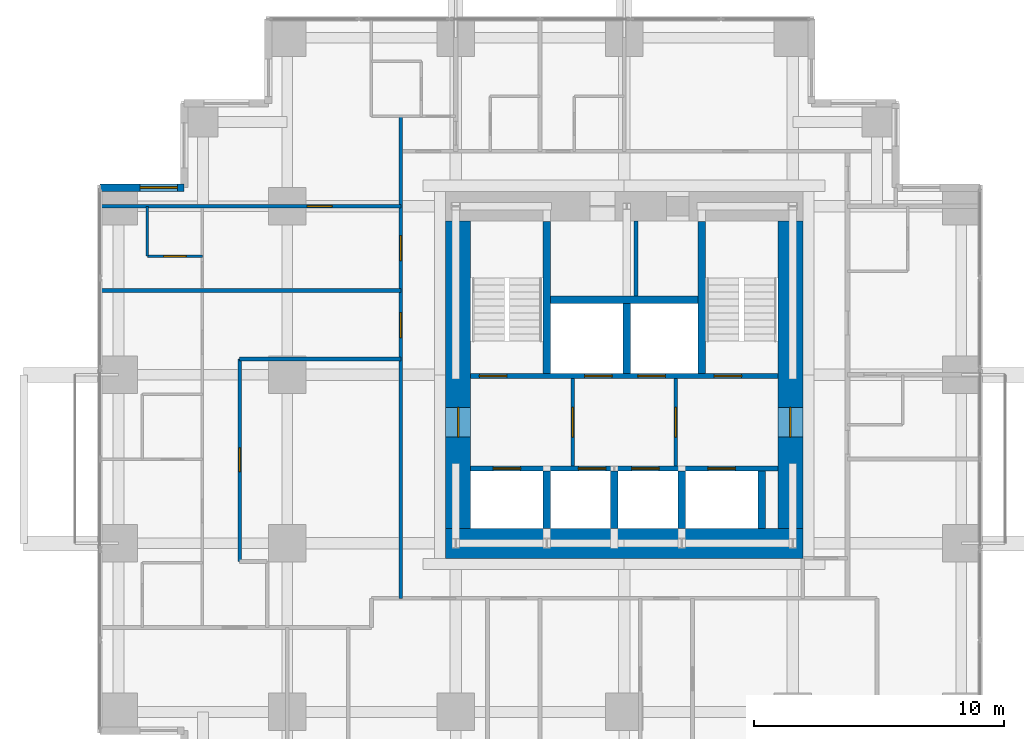
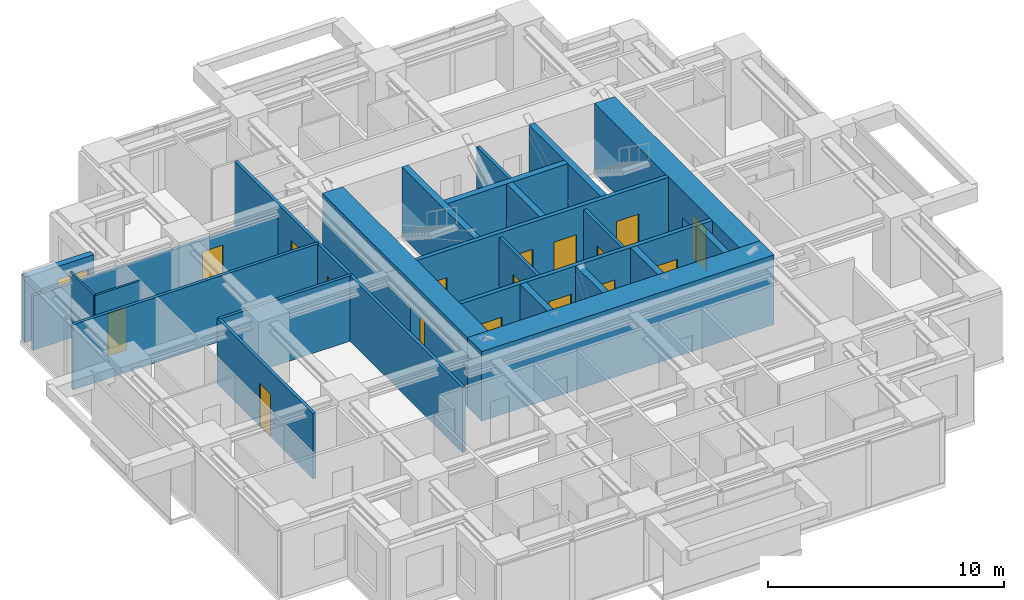
# One storey, part 7 of 10: 24 walls, 17 doors, 1 window, 18 openings.
"""IFC4 building model written with IfcOpenShell, lengths in metres."""

from ifc_helpers import new_model, si_unit, direction, frame, frame_2d, origin, place, context, subcontext, project, spatial, rectangle, extrude, material, layer, layer_set, type_object, element, fill, save


model = new_model("IFC4")

# Units and contexts
model_context = context("Model", 3, precision=1e-05, world=origin(), true_north=direction((0.0, 1.0)))
body_context = subcontext(model_context, "Body", "Model", "MODEL_VIEW")
ifc_project = project(units=[si_unit("LENGTHUNIT", "METRE"), si_unit("AREAUNIT", "SQUARE_METRE"), si_unit("VOLUMEUNIT", "CUBIC_METRE"), si_unit("PLANEANGLEUNIT", "RADIAN"), si_unit("MASSUNIT", "GRAM", prefix="KILO")], contexts=[model_context])

# Site, building, storey
site_placement = place(None, origin())
site = spatial("IfcSite", under=ifc_project, at=site_placement, CompositionType="ELEMENT")
building_placement = place(site_placement, origin())
building = spatial("IfcBuilding", under=site, at=building_placement, Name="Nyansa Garden Tower", CompositionType="ELEMENT")
storey_placement = place(building_placement, frame((0.0, 0.0, 153.0)))
storey = spatial("IfcBuildingStorey", under=building, at=storey_placement, Name="L41", CompositionType="ELEMENT", Elevation=153.0)

# Wall, openings, doors
ifc_material_1 = material(Name="Concrete C70/85", Category="concrete")
ifc_layer_1 = layer(ifc_material_1, 0.199951171875)
ifc_layer_set_1 = layer_set([ifc_layer_1], Name="Core inner wall CI200")
wall_type_1 = type_object("IfcWallType", Name="Core inner wall CI200", PredefinedType="SHEAR", material=ifc_layer_set_1)
wall_1_placement = place(storey_placement, frame((14.10009765625, 16.5, 0.0), z_axis=(0.0, 0.0, 1.0), x_axis=(1.0, 0.0, 0.0)))
wall_1 = element("IfcWall", 1, at=wall_1_placement, inside=storey, type_object=wall_type_1, Name="Core inner wall L41", PredefinedType="SHEAR", context=body_context, shape_type="SweptSolid", body=[
    extrude(rectangle(XDim=12.2998046875, YDim=0.199951171875, at=frame_2d((6.14990234375, 0.0))), origin(), (0.0, 0.0, 1.0), 3.60009765625),
])
opening_1_placement = place(wall_1_placement, frame((0.89990234375, 0.0, 0.0)))
opening_1 = element("IfcOpeningElement", 2, at=opening_1_placement, cuts=wall_1, Name="Opening LD-F", PredefinedType="OPENING", context=body_context, shape_type="SweptSolid", body=[
    extrude(rectangle(XDim=1.10009765625, YDim=2.199951171875, at=frame_2d((0.550048828125, 1.10009765625))), frame((0.0, 0.10986328125, 0.0), z_axis=(0.0, -1.0, 0.0), x_axis=(1.0, 0.0, 0.0)), (0.0, 0.0, 1.0), 0.219970703125),
])
opening_2_placement = place(wall_1_placement, frame((4.31005859375, 0.0, 0.0)))
opening_2 = element("IfcOpeningElement", 3, at=opening_2_placement, cuts=wall_1, Name="Opening LD-B", PredefinedType="OPENING", context=body_context, shape_type="SweptSolid", body=[
    extrude(rectangle(XDim=1.10009765625, YDim=2.199951171875, at=frame_2d((0.550048828125, 1.10009765625))), frame((0.0, 0.10986328125, 0.0), z_axis=(0.0, -1.0, 0.0), x_axis=(1.0, 0.0, 0.0)), (0.0, 0.0, 1.0), 0.219970703125),
])
opening_3_placement = place(wall_1_placement, frame((6.449951171875, 0.0, 0.0)))
opening_3 = element("IfcOpeningElement", 4, at=opening_3_placement, cuts=wall_1, Name="Opening LD-B", PredefinedType="OPENING", context=body_context, shape_type="SweptSolid", body=[
    extrude(rectangle(XDim=1.10009765625, YDim=2.199951171875, at=frame_2d((0.550048828125, 1.10009765625))), frame((0.0, 0.10986328125, 0.0), z_axis=(0.0, -1.0, 0.0), x_axis=(1.0, 0.0, 0.0)), (0.0, 0.0, 1.0), 0.219970703125),
])
opening_4_placement = place(wall_1_placement, frame((9.5, 0.0, 0.0)))
opening_4 = element("IfcOpeningElement", 5, at=opening_4_placement, cuts=wall_1, Name="Opening LD-F", PredefinedType="OPENING", context=body_context, shape_type="SweptSolid", body=[
    extrude(rectangle(XDim=1.10009765625, YDim=2.199951171875, at=frame_2d((0.550048828125, 1.10009765625))), frame((0.0, 0.10986328125, 0.0), z_axis=(0.0, -1.0, 0.0), x_axis=(1.0, 0.0, 0.0)), (0.0, 0.0, 1.0), 0.219970703125),
])
ifc_material_2 = material(Name="Stainless steel centre-opening landing door of the high-rise lift, E 120", Category="steel")
door_type_1 = type_object("IfcDoorType", Name="Lift landing door LD-B 1100x2200", OperationType="DOUBLE_DOOR_SLIDING", PredefinedType="DOOR", material=ifc_material_2)
door_1_placement = place(opening_2_placement, origin())
door_1 = element("IfcDoor", 6, at=door_1_placement, inside=storey, type_object=door_type_1, Name="Landing door B1", OperationType="DOUBLE_DOOR_SLIDING", OverallHeight=2.199951171875, OverallWidth=1.10009765625, PredefinedType="DOOR", context=body_context, shape_type="SweptSolid", body=[
    extrude(rectangle(XDim=1.10009765625, YDim=2.199951171875, at=frame_2d((0.550048828125, 1.10009765625))), frame((0.0, 0.02490234375, 0.0), z_axis=(0.0, -1.0, 0.0), x_axis=(1.0, 0.0, 0.0)), (0.0, 0.0, 1.0), 0.050048828125),
])
fill(opening_2, door_1)
door_2_placement = place(opening_3_placement, origin())
door_2 = element("IfcDoor", 7, at=door_2_placement, inside=storey, type_object=door_type_1, Name="Landing door B2", OperationType="DOUBLE_DOOR_SLIDING", OverallHeight=2.199951171875, OverallWidth=1.10009765625, PredefinedType="DOOR", context=body_context, shape_type="SweptSolid", body=[
    extrude(rectangle(XDim=1.10009765625, YDim=2.199951171875, at=frame_2d((0.550048828125, 1.10009765625))), frame((0.0, 0.02490234375, 0.0), z_axis=(0.0, -1.0, 0.0), x_axis=(1.0, 0.0, 0.0)), (0.0, 0.0, 1.0), 0.050048828125),
])
fill(opening_3, door_2)
ifc_material_3 = material(Name="Stainless steel centre-opening landing door of the firefighting lift, EN 81-72, E 120", Category="steel")
door_type_2 = type_object("IfcDoorType", Name="Lift landing door LD-F 1100x2200", OperationType="DOUBLE_DOOR_SLIDING", PredefinedType="DOOR", material=ifc_material_3)
door_3_placement = place(opening_1_placement, origin())
door_3 = element("IfcDoor", 8, at=door_3_placement, inside=storey, type_object=door_type_2, Name="Landing door FF1", OperationType="DOUBLE_DOOR_SLIDING", OverallHeight=2.199951171875, OverallWidth=1.10009765625, PredefinedType="DOOR", context=body_context, shape_type="SweptSolid", body=[
    extrude(rectangle(XDim=1.10009765625, YDim=2.199951171875, at=frame_2d((0.550048828125, 1.10009765625))), frame((0.0, 0.02490234375, 0.0), z_axis=(0.0, -1.0, 0.0), x_axis=(1.0, 0.0, 0.0)), (0.0, 0.0, 1.0), 0.050048828125),
])
fill(opening_1, door_3)
door_4_placement = place(opening_4_placement, origin())
door_4 = element("IfcDoor", 9, at=door_4_placement, inside=storey, type_object=door_type_2, Name="Landing door FF2", OperationType="DOUBLE_DOOR_SLIDING", OverallHeight=2.199951171875, OverallWidth=1.10009765625, PredefinedType="DOOR", context=body_context, shape_type="SweptSolid", body=[
    extrude(rectangle(XDim=1.10009765625, YDim=2.199951171875, at=frame_2d((0.550048828125, 1.10009765625))), frame((0.0, 0.02490234375, 0.0), z_axis=(0.0, -1.0, 0.0), x_axis=(1.0, 0.0, 0.0)), (0.0, 0.0, 1.0), 0.050048828125),
])
fill(opening_4, door_4)

wall_2_placement = place(storey_placement, frame((14.10009765625, 20.199951171875, 0.0), z_axis=(0.0, 0.0, 1.0), x_axis=(1.0, 0.0, 0.0)))
wall_2 = element("IfcWall", 10, at=wall_2_placement, inside=storey, type_object=wall_type_1, Name="Core inner wall L41", PredefinedType="SHEAR", context=body_context, shape_type="SweptSolid", body=[
    extrude(rectangle(XDim=12.2998046875, YDim=0.199951171875, at=frame_2d((6.14990234375, 0.0))), origin(), (0.0, 0.0, 1.0), 3.60009765625),
])
opening_5_placement = place(wall_2_placement, frame((4.56005859375, 0.0, 0.0)))
opening_5 = element("IfcOpeningElement", 11, at=opening_5_placement, cuts=wall_2, Name="Opening LD-B", PredefinedType="OPENING", context=body_context, shape_type="SweptSolid", body=[
    extrude(rectangle(XDim=1.10009765625, YDim=2.199951171875, at=frame_2d((0.550048828125, 1.10009765625))), frame((0.0, 0.10986328125, 0.0), z_axis=(0.0, -1.0, 0.0), x_axis=(1.0, 0.0, 0.0)), (0.0, 0.0, 1.0), 0.219970703125),
])
opening_6_placement = place(wall_2_placement, frame((6.699951171875, 0.0, 0.0)))
opening_6 = element("IfcOpeningElement", 12, at=opening_6_placement, cuts=wall_2, Name="Opening LD-B", PredefinedType="OPENING", context=body_context, shape_type="SweptSolid", body=[
    extrude(rectangle(XDim=1.10009765625, YDim=2.199951171875, at=frame_2d((0.550048828125, 1.10009765625))), frame((0.0, 0.10986328125, 0.0), z_axis=(0.0, -1.0, 0.0), x_axis=(1.0, 0.0, 0.0)), (0.0, 0.0, 1.0), 0.219970703125),
])
opening_7_placement = place(wall_2_placement, frame((0.35009765625, 0.0, 0.0)))
opening_7 = element("IfcOpeningElement", 13, at=opening_7_placement, cuts=wall_2, Name="Opening D05", PredefinedType="OPENING", context=body_context, shape_type="SweptSolid", body=[
    extrude(rectangle(XDim=1.10009765625, YDim=2.199951171875, at=frame_2d((0.550048828125, 1.10009765625))), frame((0.0, 0.10986328125, 0.0), z_axis=(0.0, -1.0, 0.0), x_axis=(1.0, 0.0, 0.0)), (0.0, 0.0, 1.0), 0.219970703125),
])
opening_8_placement = place(wall_2_placement, frame((9.75, 0.0, 0.0)))
opening_8 = element("IfcOpeningElement", 14, at=opening_8_placement, cuts=wall_2, Name="Opening D05", PredefinedType="OPENING", context=body_context, shape_type="SweptSolid", body=[
    extrude(rectangle(XDim=1.10009765625, YDim=2.199951171875, at=frame_2d((0.550048828125, 1.10009765625))), frame((0.0, 0.10986328125, 0.0), z_axis=(0.0, -1.0, 0.0), x_axis=(1.0, 0.0, 0.0)), (0.0, 0.0, 1.0), 0.219970703125),
])
door_5_placement = place(opening_5_placement, origin())
door_5 = element("IfcDoor", 15, at=door_5_placement, inside=storey, type_object=door_type_1, Name="Landing door B3", OperationType="DOUBLE_DOOR_SLIDING", OverallHeight=2.199951171875, OverallWidth=1.10009765625, PredefinedType="DOOR", context=body_context, shape_type="SweptSolid", body=[
    extrude(rectangle(XDim=1.10009765625, YDim=2.199951171875, at=frame_2d((0.550048828125, 1.10009765625))), frame((0.0, 0.02490234375, 0.0), z_axis=(0.0, -1.0, 0.0), x_axis=(1.0, 0.0, 0.0)), (0.0, 0.0, 1.0), 0.050048828125),
])
fill(opening_5, door_5)
door_6_placement = place(opening_6_placement, origin())
door_6 = element("IfcDoor", 16, at=door_6_placement, inside=storey, type_object=door_type_1, Name="Landing door B4", OperationType="DOUBLE_DOOR_SLIDING", OverallHeight=2.199951171875, OverallWidth=1.10009765625, PredefinedType="DOOR", context=body_context, shape_type="SweptSolid", body=[
    extrude(rectangle(XDim=1.10009765625, YDim=2.199951171875, at=frame_2d((0.550048828125, 1.10009765625))), frame((0.0, 0.02490234375, 0.0), z_axis=(0.0, -1.0, 0.0), x_axis=(1.0, 0.0, 0.0)), (0.0, 0.0, 1.0), 0.050048828125),
])
fill(opening_6, door_6)
ifc_material_4 = material(Name="Steel door, 120 minute fire resisting", Category="steel")
door_type_3 = type_object("IfcDoorType", Name="Stair door D05 1100x2200", OperationType="SINGLE_SWING_LEFT", PredefinedType="DOOR", material=ifc_material_4)
door_7_placement = place(opening_7_placement, origin())
door_7 = element("IfcDoor", 17, at=door_7_placement, inside=storey, type_object=door_type_3, Name="Stair S1 door", OperationType="SINGLE_SWING_LEFT", OverallHeight=2.199951171875, OverallWidth=1.10009765625, PredefinedType="DOOR", context=body_context, shape_type="SweptSolid", body=[
    extrude(rectangle(XDim=1.10009765625, YDim=2.199951171875, at=frame_2d((0.550048828125, 1.10009765625))), frame((0.0, 0.02490234375, 0.0), z_axis=(0.0, -1.0, 0.0), x_axis=(1.0, 0.0, 0.0)), (0.0, 0.0, 1.0), 0.050048828125),
])
fill(opening_7, door_7)
door_8_placement = place(opening_8_placement, origin())
door_8 = element("IfcDoor", 18, at=door_8_placement, inside=storey, type_object=door_type_3, Name="Stair S2 door", OperationType="SINGLE_SWING_LEFT", OverallHeight=2.199951171875, OverallWidth=1.10009765625, PredefinedType="DOOR", context=body_context, shape_type="SweptSolid", body=[
    extrude(rectangle(XDim=1.10009765625, YDim=2.199951171875, at=frame_2d((0.550048828125, 1.10009765625))), frame((0.0, 0.02490234375, 0.0), z_axis=(0.0, -1.0, 0.0), x_axis=(1.0, 0.0, 0.0)), (0.0, 0.0, 1.0), 0.050048828125),
])
fill(opening_8, door_8)

# Walls
ifc_material_5 = material(Name="Concrete C70/85", Category="concrete")
ifc_layer_2 = layer(ifc_material_5, 0.300048828125)
ifc_layer_set_2 = layer_set([ifc_layer_2], Name="Core inner wall CI300")
wall_type_2 = type_object("IfcWallType", Name="Core inner wall CI300", PredefinedType="SHEAR", material=ifc_layer_set_2)
for number, where, z_axis, x_axis, name in (
    (19, (17.14990234375, 20.300048828125, 0.0), (0.0, 0.0, 1.0), (0.0, 1.0, 0.0), "Core inner wall L41"),
    (20, (23.35009765625, 20.300048828125, 0.0), (0.0, 0.0, 1.0), (0.0, 1.0, 0.0), "Core inner wall L41"),
):
    element("IfcWall", number, at=place(storey_placement, frame(where, z_axis=z_axis, x_axis=x_axis)), inside=storey, type_object=wall_type_2, Name=name, PredefinedType="SHEAR", context=body_context, shape_type="SweptSolid", body=[
        extrude(rectangle(XDim=6.099853515625, YDim=0.300048828125, at=frame_2d((3.0498046875, 0.0))), origin(), (0.0, 0.0, 1.0), 3.60009765625),
    ])
wall_3_placement = place(storey_placement, frame((20.35009765625, 20.300048828125, 0.0), z_axis=(0.0, 0.0, 1.0), x_axis=(0.0, 1.0, 0.0)))
element("IfcWall", 21, at=wall_3_placement, inside=storey, type_object=wall_type_2, Name="Core inner wall L41", PredefinedType="SHEAR", context=body_context, shape_type="SweptSolid", body=[
    extrude(rectangle(XDim=2.800048828125, YDim=0.300048828125, at=frame_2d((1.39990234375, 0.0))), origin(), (0.0, 0.0, 1.0), 3.60009765625),
])
wall_4_placement = place(storey_placement, frame((17.300048828125, 23.25, 0.0), z_axis=(0.0, 0.0, 1.0), x_axis=(1.0, 0.0, 0.0)))
element("IfcWall", 22, at=wall_4_placement, inside=storey, type_object=wall_type_2, Name="Core inner wall L41", PredefinedType="SHEAR", context=body_context, shape_type="SweptSolid", body=[
    extrude(rectangle(XDim=5.89990234375, YDim=0.300048828125, at=frame_2d((2.949951171875, 0.0))), origin(), (0.0, 0.0, 1.0), 3.60009765625),
])
for number, where, z_axis, x_axis, name in (
    (23, (17.14990234375, 14.10009765625, 0.0), (0.0, 0.0, 1.0), (0.0, 1.0, 0.0), "Core inner wall L41"),
    (24, (19.85009765625, 14.10009765625, 0.0), (0.0, 0.0, 1.0), (0.0, 1.0, 0.0), "Core inner wall L41"),
    (25, (22.550048828125, 14.10009765625, 0.0), (0.0, 0.0, 1.0), (0.0, 1.0, 0.0), "Core inner wall L41"),
    (26, (25.75, 14.10009765625, 0.0), (0.0, 0.0, 1.0), (0.0, 1.0, 0.0), "Core inner wall L41"),
):
    element("IfcWall", number, at=place(storey_placement, frame(where, z_axis=z_axis, x_axis=x_axis)), inside=storey, type_object=wall_type_2, Name=name, PredefinedType="SHEAR", context=body_context, shape_type="SweptSolid", body=[
        extrude(rectangle(XDim=2.2998046875, YDim=0.300048828125, at=frame_2d((1.14990234375, 0.0))), origin(), (0.0, 0.0, 1.0), 3.60009765625),
    ])

# Wall, opening, door
ifc_material_6 = material(Name="Concrete C80/95", Category="concrete")
ifc_layer_3 = layer(ifc_material_6, 1.0)
ifc_layer_set_3 = layer_set([ifc_layer_3], Name="Core wall CW1000")
wall_type_3 = type_object("IfcWallType", Name="Core wall CW1000", PredefinedType="SHEAR", material=ifc_layer_set_3)
wall_5_placement = place(storey_placement, frame((26.89990234375, 14.10009765625, 0.0), z_axis=(0.0, 0.0, 1.0), x_axis=(0.0, 1.0, 0.0)))
wall_5 = element("IfcWall", 27, at=wall_5_placement, inside=storey, type_object=wall_type_3, Name="Core wall E L41", PredefinedType="SHEAR", context=body_context, shape_type="SweptSolid", body=[
    extrude(rectangle(XDim=12.2998046875, YDim=1.0, at=frame_2d((6.14990234375, 0.0))), origin(), (0.0, 0.0, 1.0), 3.60009765625),
])
opening_9_placement = place(wall_5_placement, frame((3.64990234375, 0.0, 0.0)))
opening_9 = element("IfcOpeningElement", 28, at=opening_9_placement, cuts=wall_5, Name="Opening D06", PredefinedType="OPENING", context=body_context, shape_type="SweptSolid", body=[
    extrude(rectangle(XDim=1.199951171875, YDim=2.199951171875, at=frame_2d((0.60009765625, 1.10009765625))), frame((0.0, 0.510009765625, 0.0), z_axis=(0.0, -1.0, 0.0), x_axis=(1.0, 0.0, 0.0)), (0.0, 0.0, 1.0), 1.02001953125),
])
ifc_material_7 = material(Name="Steel door, 120 minute fire resisting", Category="steel")
door_type_4 = type_object("IfcDoorType", Name="Lobby door D06 1200x2200", OperationType="DOUBLE_DOOR_SINGLE_SWING", PredefinedType="DOOR", material=ifc_material_7)
door_9_placement = place(opening_9_placement, origin())
door_9 = element("IfcDoor", 29, at=door_9_placement, inside=storey, type_object=door_type_4, Name="Lift lobby door east", OperationType="DOUBLE_DOOR_SINGLE_SWING", OverallHeight=2.199951171875, OverallWidth=1.199951171875, PredefinedType="DOOR", context=body_context, shape_type="SweptSolid", body=[
    extrude(rectangle(XDim=1.199951171875, YDim=2.199951171875, at=frame_2d((0.60009765625, 1.10009765625))), frame((0.0, 0.02490234375, 0.0), z_axis=(0.0, -1.0, 0.0), x_axis=(1.0, 0.0, 0.0)), (0.0, 0.0, 1.0), 0.050048828125),
])
fill(opening_9, door_9)

wall_6_placement = place(storey_placement, frame((13.60009765625, 26.39990234375, 0.0), z_axis=(0.0, 0.0, 1.0), x_axis=(0.0, -1.0, 0.0)))
wall_6 = element("IfcWall", 30, at=wall_6_placement, inside=storey, type_object=wall_type_3, Name="Core wall W L41", PredefinedType="SHEAR", context=body_context, shape_type="SweptSolid", body=[
    extrude(rectangle(XDim=12.2998046875, YDim=1.0, at=frame_2d((6.14990234375, 0.0))), origin(), (0.0, 0.0, 1.0), 3.60009765625),
])
opening_10_placement = place(wall_6_placement, frame((7.449951171875, 0.0, 0.0)))
opening_10 = element("IfcOpeningElement", 31, at=opening_10_placement, cuts=wall_6, Name="Opening D06", PredefinedType="OPENING", context=body_context, shape_type="SweptSolid", body=[
    extrude(rectangle(XDim=1.199951171875, YDim=2.199951171875, at=frame_2d((0.60009765625, 1.10009765625))), frame((0.0, 0.510009765625, 0.0), z_axis=(0.0, -1.0, 0.0), x_axis=(1.0, 0.0, 0.0)), (0.0, 0.0, 1.0), 1.02001953125),
])
door_10_placement = place(opening_10_placement, origin())
door_10 = element("IfcDoor", 32, at=door_10_placement, inside=storey, type_object=door_type_4, Name="Lift lobby door west", OperationType="DOUBLE_DOOR_SINGLE_SWING", OverallHeight=2.199951171875, OverallWidth=1.199951171875, PredefinedType="DOOR", context=body_context, shape_type="SweptSolid", body=[
    extrude(rectangle(XDim=1.199951171875, YDim=2.199951171875, at=frame_2d((0.60009765625, 1.10009765625))), frame((0.0, 0.02490234375, 0.0), z_axis=(0.0, -1.0, 0.0), x_axis=(1.0, 0.0, 0.0)), (0.0, 0.0, 1.0), 0.050048828125),
])
fill(opening_10, door_10)

# Wall
ifc_material_8 = material(Name="Concrete C80/95", Category="concrete")
ifc_layer_4 = layer(ifc_material_8, 1.199951171875)
ifc_layer_set_4 = layer_set([ifc_layer_4], Name="Core wall CW1200")
wall_type_4 = type_object("IfcWallType", Name="Core wall CW1200", PredefinedType="SHEAR", material=ifc_layer_set_4)
wall_7_placement = place(storey_placement, frame((13.10009765625, 13.5, 0.0), z_axis=(0.0, 0.0, 1.0), x_axis=(1.0, 0.0, 0.0)))
element("IfcWall", 33, at=wall_7_placement, inside=storey, type_object=wall_type_4, Name="Core wall S L41", PredefinedType="SHEAR", context=body_context, shape_type="SweptSolid", body=[
    extrude(rectangle(XDim=14.2998046875, YDim=1.199951171875, at=frame_2d((7.14990234375, 0.0))), origin(), (0.0, 0.0, 1.0), 3.60009765625),
])

# Wall, opening, door
ifc_material_9 = material(Name="Blockwork, plastered both sides", Category="masonry")
ifc_layer_5 = layer(ifc_material_9, 0.14990234375)
ifc_layer_set_5 = layer_set([ifc_layer_5], Name="Partition PW150")
wall_type_5 = type_object("IfcWallType", Name="Partition PW150", PredefinedType="PARTITIONING", material=ifc_layer_set_5)
wall_8_placement = place(storey_placement, frame((18.18505859375, 16.60009765625, 0.0), z_axis=(0.0, 0.0, 1.0), x_axis=(0.0, 1.0, 0.0)))
wall_8 = element("IfcWall", 34, at=wall_8_placement, inside=storey, type_object=wall_type_5, Name="Partition", PredefinedType="PARTITIONING", context=body_context, shape_type="SweptSolid", body=[
    extrude(rectangle(XDim=3.5, YDim=0.14990234375, at=frame_2d((1.75, 0.0))), origin(), (0.0, 0.0, 1.0), 3.375),
])
opening_11_placement = place(wall_8_placement, frame((1.14990234375, 0.0, 0.0)))
opening_11 = element("IfcOpeningElement", 35, at=opening_11_placement, cuts=wall_8, Name="Opening D06", PredefinedType="OPENING", context=body_context, shape_type="SweptSolid", body=[
    extrude(rectangle(XDim=1.199951171875, YDim=2.199951171875, at=frame_2d((0.60009765625, 1.10009765625))), frame((0.0, 0.0849609375, 0.0), z_axis=(0.0, -1.0, 0.0), x_axis=(1.0, 0.0, 0.0)), (0.0, 0.0, 1.0), 0.169921875),
])
door_11_placement = place(opening_11_placement, origin())
door_11 = element("IfcDoor", 36, at=door_11_placement, inside=storey, type_object=door_type_4, Name="Passenger lift lobby door", OperationType="DOUBLE_DOOR_SINGLE_SWING", OverallHeight=2.199951171875, OverallWidth=1.199951171875, PredefinedType="DOOR", context=body_context, shape_type="SweptSolid", body=[
    extrude(rectangle(XDim=1.199951171875, YDim=2.199951171875, at=frame_2d((0.60009765625, 1.10009765625))), frame((0.0, 0.02490234375, 0.0), z_axis=(0.0, -1.0, 0.0), x_axis=(1.0, 0.0, 0.0)), (0.0, 0.0, 1.0), 0.050048828125),
])
fill(opening_11, door_11)

wall_9_placement = place(storey_placement, frame((22.31494140625, 16.60009765625, 0.0), z_axis=(0.0, 0.0, 1.0), x_axis=(0.0, 1.0, 0.0)))
wall_9 = element("IfcWall", 37, at=wall_9_placement, inside=storey, type_object=wall_type_5, Name="Partition", PredefinedType="PARTITIONING", context=body_context, shape_type="SweptSolid", body=[
    extrude(rectangle(XDim=3.5, YDim=0.14990234375, at=frame_2d((1.75, 0.0))), origin(), (0.0, 0.0, 1.0), 3.375),
])
opening_12_placement = place(wall_9_placement, frame((1.14990234375, 0.0, 0.0)))
opening_12 = element("IfcOpeningElement", 38, at=opening_12_placement, cuts=wall_9, Name="Opening D06", PredefinedType="OPENING", context=body_context, shape_type="SweptSolid", body=[
    extrude(rectangle(XDim=1.199951171875, YDim=2.199951171875, at=frame_2d((0.60009765625, 1.10009765625))), frame((0.0, 0.0849609375, 0.0), z_axis=(0.0, -1.0, 0.0), x_axis=(1.0, 0.0, 0.0)), (0.0, 0.0, 1.0), 0.169921875),
])
door_12_placement = place(opening_12_placement, origin())
door_12 = element("IfcDoor", 39, at=door_12_placement, inside=storey, type_object=door_type_4, Name="Passenger lift lobby door", OperationType="DOUBLE_DOOR_SINGLE_SWING", OverallHeight=2.199951171875, OverallWidth=1.199951171875, PredefinedType="DOOR", context=body_context, shape_type="SweptSolid", body=[
    extrude(rectangle(XDim=1.199951171875, YDim=2.199951171875, at=frame_2d((0.60009765625, 1.10009765625))), frame((0.0, 0.02490234375, 0.0), z_axis=(0.0, -1.0, 0.0), x_axis=(1.0, 0.0, 0.0)), (0.0, 0.0, 1.0), 0.050048828125),
])
fill(opening_12, door_12)

# Walls
wall_10_placement = place(storey_placement, frame((20.72509765625, 23.39990234375, 0.0), z_axis=(0.0, 0.0, 1.0), x_axis=(0.0, 1.0, 0.0)))
element("IfcWall", 40, at=wall_10_placement, inside=storey, type_object=wall_type_5, Name="Partition", PredefinedType="PARTITIONING", context=body_context, shape_type="SweptSolid", body=[
    extrude(rectangle(XDim=3.0, YDim=0.14990234375, at=frame_2d((1.5, 0.0))), origin(), (0.0, 0.0, 1.0), 3.375),
])
wall_11_placement = place(storey_placement, frame((-0.73388671875, 23.625, 0.0), z_axis=(0.0, 0.0, 1.0), x_axis=(1.0, 0.0, 0.0)))
element("IfcWall", 41, at=wall_11_placement, inside=storey, type_object=wall_type_5, Name="Partition", PredefinedType="PARTITIONING", context=body_context, shape_type="SweptSolid", body=[
    extrude(rectangle(XDim=12.033935546875, YDim=0.14990234375, at=frame_2d((6.01708984375, 0.0))), origin(), (0.0, 0.0, 1.0), 3.375),
])

# Wall, opening, door
wall_12_placement = place(storey_placement, frame((-0.73388671875, 27.0, 0.0), z_axis=(0.0, 0.0, 1.0), x_axis=(1.0, 0.0, 0.0)))
wall_12 = element("IfcWall", 42, at=wall_12_placement, inside=storey, type_object=wall_type_5, Name="Partition", PredefinedType="PARTITIONING", context=body_context, shape_type="SweptSolid", body=[
    extrude(rectangle(XDim=12.033935546875, YDim=0.14990234375, at=frame_2d((6.01708984375, 0.0))), origin(), (0.0, 0.0, 1.0), 2.805908203125),
])
opening_13_placement = place(wall_12_placement, frame((8.283935546875, 0.0, 0.0)))
opening_13 = element("IfcOpeningElement", 43, at=opening_13_placement, cuts=wall_12, Name="Opening D03", PredefinedType="OPENING", context=body_context, shape_type="SweptSolid", body=[
    extrude(rectangle(XDim=1.0, YDim=2.199951171875, at=frame_2d((0.5, 1.10009765625))), frame((0.0, 0.0849609375, 0.0), z_axis=(0.0, -1.0, 0.0), x_axis=(1.0, 0.0, 0.0)), (0.0, 0.0, 1.0), 0.169921875),
])
ifc_material_10 = material(Name="Timber flush door, 60 minute fire resisting", Category="wood")
door_type_5 = type_object("IfcDoorType", Name="Cluster entrance door D03 1000x2200", OperationType="SINGLE_SWING_LEFT", PredefinedType="DOOR", material=ifc_material_10)
door_13_placement = place(opening_13_placement, origin())
door_13 = element("IfcDoor", 44, at=door_13_placement, inside=storey, type_object=door_type_5, Name="Door L41-047", OperationType="SINGLE_SWING_LEFT", OverallHeight=2.199951171875, OverallWidth=1.0, PredefinedType="DOOR", context=body_context, shape_type="SweptSolid", body=[
    extrude(rectangle(XDim=1.0, YDim=2.199951171875, at=frame_2d((0.5, 1.10009765625))), frame((0.0, 0.02490234375, 0.0), z_axis=(0.0, -1.0, 0.0), x_axis=(1.0, 0.0, 0.0)), (0.0, 0.0, 1.0), 0.050048828125),
])
fill(opening_13, door_13)

wall_13_placement = place(storey_placement, frame((4.85009765625, 12.77490234375, 0.0), z_axis=(0.0, 0.0, 1.0), x_axis=(0.0, 1.0, 0.0)))
wall_13 = element("IfcWall", 45, at=wall_13_placement, inside=storey, type_object=wall_type_5, Name="Partition", PredefinedType="PARTITIONING", context=body_context, shape_type="SweptSolid", body=[
    extrude(rectangle(XDim=8.112548828125, YDim=0.14990234375, at=frame_2d((4.05615234375, 0.0))), origin(), (0.0, 0.0, 1.0), 3.375),
])
opening_14_placement = place(wall_13_placement, frame((3.60009765625, 0.0, 0.0)))
opening_14 = element("IfcOpeningElement", 46, at=opening_14_placement, cuts=wall_13, Name="Opening D01", PredefinedType="OPENING", context=body_context, shape_type="SweptSolid", body=[
    extrude(rectangle(XDim=0.949951171875, YDim=2.199951171875, at=frame_2d((0.47509765625, 1.10009765625))), frame((0.0, 0.0849609375, 0.0), z_axis=(0.0, -1.0, 0.0), x_axis=(1.0, 0.0, 0.0)), (0.0, 0.0, 1.0), 0.169921875),
])
ifc_material_11 = material(Name="Timber flush door, 30 minute fire resisting", Category="wood")
door_type_6 = type_object("IfcDoorType", Name="Bedroom door D01 950x2200", OperationType="SINGLE_SWING_LEFT", PredefinedType="DOOR", material=ifc_material_11)
door_14_placement = place(opening_14_placement, origin())
door_14 = element("IfcDoor", 47, at=door_14_placement, inside=storey, type_object=door_type_6, Name="Door L41-056", OperationType="SINGLE_SWING_LEFT", OverallHeight=2.199951171875, OverallWidth=0.949951171875, PredefinedType="DOOR", context=body_context, shape_type="SweptSolid", body=[
    extrude(rectangle(XDim=0.949951171875, YDim=2.199951171875, at=frame_2d((0.47509765625, 1.10009765625))), frame((0.0, 0.02490234375, 0.0), z_axis=(0.0, -1.0, 0.0), x_axis=(1.0, 0.0, 0.0)), (0.0, 0.0, 1.0), 0.050048828125),
])
fill(opening_14, door_14)

# Wall
wall_14_placement = place(storey_placement, frame((4.85009765625, 20.886962890625, 0.0), z_axis=(0.0, 0.0, 1.0), x_axis=(1.0, 0.0, 0.0)))
element("IfcWall", 48, at=wall_14_placement, inside=storey, type_object=wall_type_5, Name="Partition", PredefinedType="PARTITIONING", context=body_context, shape_type="SweptSolid", body=[
    extrude(rectangle(XDim=6.449951171875, YDim=0.14990234375, at=frame_2d((3.22509765625, 0.0))), origin(), (0.0, 0.0, 1.0), 3.375),
])

# Wall, openings, doors
wall_15_placement = place(storey_placement, frame((11.300048828125, 11.300048828125, 0.0), z_axis=(0.0, 0.0, 1.0), x_axis=(0.0, 1.0, 0.0)))
wall_15 = element("IfcWall", 49, at=wall_15_placement, inside=storey, type_object=wall_type_5, Name="Partition", PredefinedType="PARTITIONING", context=body_context, shape_type="SweptSolid", body=[
    extrude(rectangle(XDim=19.300048828125, YDim=0.14990234375, at=frame_2d((9.64990234375, 0.0))), origin(), (0.0, 0.0, 1.0), 3.375),
])
opening_15_placement = place(wall_15_placement, frame((13.52490234375, 0.0, 0.0)))
opening_15 = element("IfcOpeningElement", 50, at=opening_15_placement, cuts=wall_15, Name="Opening D03", PredefinedType="OPENING", context=body_context, shape_type="SweptSolid", body=[
    extrude(rectangle(XDim=1.0, YDim=2.199951171875, at=frame_2d((0.5, 1.10009765625))), frame((0.0, 0.0849609375, 0.0), z_axis=(0.0, -1.0, 0.0), x_axis=(1.0, 0.0, 0.0)), (0.0, 0.0, 1.0), 0.169921875),
])
opening_16_placement = place(wall_15_placement, frame((10.4375, 0.0, 0.0)))
opening_16 = element("IfcOpeningElement", 51, at=opening_16_placement, cuts=wall_15, Name="Opening D03", PredefinedType="OPENING", context=body_context, shape_type="SweptSolid", body=[
    extrude(rectangle(XDim=1.0, YDim=2.199951171875, at=frame_2d((0.5, 1.10009765625))), frame((0.0, 0.0849609375, 0.0), z_axis=(0.0, -1.0, 0.0), x_axis=(1.0, 0.0, 0.0)), (0.0, 0.0, 1.0), 0.169921875),
])
door_15_placement = place(opening_15_placement, origin())
door_15 = element("IfcDoor", 52, at=door_15_placement, inside=storey, type_object=door_type_5, Name="Door L41-050", OperationType="SINGLE_SWING_LEFT", OverallHeight=2.199951171875, OverallWidth=1.0, PredefinedType="DOOR", context=body_context, shape_type="SweptSolid", body=[
    extrude(rectangle(XDim=1.0, YDim=2.199951171875, at=frame_2d((0.5, 1.10009765625))), frame((0.0, 0.02490234375, 0.0), z_axis=(0.0, -1.0, 0.0), x_axis=(1.0, 0.0, 0.0)), (0.0, 0.0, 1.0), 0.050048828125),
])
fill(opening_15, door_15)
door_16_placement = place(opening_16_placement, origin())
door_16 = element("IfcDoor", 53, at=door_16_placement, inside=storey, type_object=door_type_5, Name="Door L41-055", OperationType="SINGLE_SWING_LEFT", OverallHeight=2.199951171875, OverallWidth=1.0, PredefinedType="DOOR", context=body_context, shape_type="SweptSolid", body=[
    extrude(rectangle(XDim=1.0, YDim=2.199951171875, at=frame_2d((0.5, 1.10009765625))), frame((0.0, 0.02490234375, 0.0), z_axis=(0.0, -1.0, 0.0), x_axis=(1.0, 0.0, 0.0)), (0.0, 0.0, 1.0), 0.050048828125),
])
fill(opening_16, door_16)

# Wall, opening, window
ifc_material_12 = material(Name="Turquoise glazed tile on concrete blockwork", Category="masonry")
ifc_layer_6 = layer(ifc_material_12, 0.300048828125)
ifc_layer_set_6 = layer_set([ifc_layer_6], Name="Tiled corner wall TW300")
wall_type_6 = type_object("IfcWallType", Name="Tiled corner wall TW300", PredefinedType="SOLIDWALL", material=ifc_layer_set_6)
wall_16_placement = place(storey_placement, frame((2.625, 27.75, 0.0), z_axis=(0.0, 0.0, 1.0), x_axis=(-1.0, 0.0, 0.0)))
wall_16 = element("IfcWall", 54, at=wall_16_placement, inside=storey, type_object=wall_type_6, Name="Tiled corner wall L41", PredefinedType="SOLIDWALL", context=body_context, shape_type="SweptSolid", body=[
    extrude(rectangle(XDim=3.375, YDim=0.300048828125, at=frame_2d((1.6875, 0.0))), origin(), (0.0, 0.0, 1.0), 3.375),
])
opening_17_placement = place(wall_16_placement, frame((0.267578125, 0.0, 0.89990234375)))
opening_17 = element("IfcOpeningElement", 55, at=opening_17_placement, cuts=wall_16, Name="Opening W1", PredefinedType="OPENING", context=body_context, shape_type="SweptSolid", body=[
    extrude(rectangle(XDim=1.5, YDim=1.800048828125, at=frame_2d((0.75, 0.89990234375))), frame((0.0, 0.159912109375, 0.0), z_axis=(0.0, -1.0, 0.0), x_axis=(1.0, 0.0, 0.0)), (0.0, 0.0, 1.0), 0.320068359375),
])
ifc_material_13 = material(Name="Black aluminium frame, dark tinted double glazing", Category="aluminium")
window_type = type_object("IfcWindowType", Name="Window W1 1500x1800", PartitioningType="SINGLE_PANEL", PredefinedType="WINDOW", material=ifc_material_13)
window_placement = place(opening_17_placement, origin())
window = element("IfcWindow", 56, at=window_placement, inside=storey, type_object=window_type, Name="Corner window L41", OverallHeight=1.800048828125, OverallWidth=1.5, PartitioningType="SINGLE_PANEL", PredefinedType="WINDOW", context=body_context, shape_type="SweptSolid", body=[
    extrude(rectangle(XDim=1.5, YDim=1.800048828125, at=frame_2d((0.75, 0.89990234375))), frame((0.0, 0.030029296875, 0.0), z_axis=(0.0, -1.0, 0.0), x_axis=(1.0, 0.0, 0.0)), (0.0, 0.0, 1.0), 0.06005859375),
])
fill(opening_17, window)

# Wall
ifc_material_14 = material(Name="Moisture resistant board on steel studs, tiled", Category="steel")
ifc_layer_7 = layer(ifc_material_14, 0.10009765625)
ifc_layer_set_7 = layer_set([ifc_layer_7], Name="Wet wall PW100")
wall_type_7 = type_object("IfcWallType", Name="Wet wall PW100", PredefinedType="PARTITIONING", material=ifc_layer_set_7)
wall_17_placement = place(storey_placement, frame((1.14990234375, 25.0, 0.0), z_axis=(0.0, 0.0, 1.0), x_axis=(0.0, 1.0, 0.0)))
element("IfcWall", 57, at=wall_17_placement, inside=storey, type_object=wall_type_7, Name="Wet wall", PredefinedType="PARTITIONING", context=body_context, shape_type="SweptSolid", body=[
    extrude(rectangle(XDim=2.0, YDim=0.10009765625, at=frame_2d((1.0, 0.0))), origin(), (0.0, 0.0, 1.0), 3.375),
])

# Wall, opening, door
wall_18_placement = place(storey_placement, frame((1.14990234375, 25.0, 0.0), z_axis=(0.0, 0.0, 1.0), x_axis=(1.0, 0.0, 0.0)))
wall_18 = element("IfcWall", 58, at=wall_18_placement, inside=storey, type_object=wall_type_7, Name="Wet wall", PredefinedType="PARTITIONING", context=body_context, shape_type="SweptSolid", body=[
    extrude(rectangle(XDim=2.2001953125, YDim=0.10009765625, at=frame_2d((1.10009765625, 0.0))), origin(), (0.0, 0.0, 1.0), 3.375),
])
opening_18_placement = place(wall_18_placement, frame((0.64990234375, 0.0, 0.0)))
opening_18 = element("IfcOpeningElement", 59, at=opening_18_placement, cuts=wall_18, Name="Opening D02", PredefinedType="OPENING", context=body_context, shape_type="SweptSolid", body=[
    extrude(rectangle(XDim=0.89990234375, YDim=2.199951171875, at=frame_2d((0.449951171875, 1.10009765625))), frame((0.0, 0.06005859375, 0.0), z_axis=(0.0, -1.0, 0.0), x_axis=(1.0, 0.0, 0.0)), (0.0, 0.0, 1.0), 0.1201171875),
])
ifc_material_15 = material(Name="Timber flush door", Category="wood")
door_type_7 = type_object("IfcDoorType", Name="En-suite door D02 900x2200", OperationType="SINGLE_SWING_RIGHT", PredefinedType="DOOR", material=ifc_material_15)
door_17_placement = place(opening_18_placement, origin())
door_17 = element("IfcDoor", 60, at=door_17_placement, inside=storey, type_object=door_type_7, Name="Door L41-049", OperationType="SINGLE_SWING_RIGHT", OverallHeight=2.199951171875, OverallWidth=0.89990234375, PredefinedType="DOOR", context=body_context, shape_type="SweptSolid", body=[
    extrude(rectangle(XDim=0.89990234375, YDim=2.199951171875, at=frame_2d((0.449951171875, 1.10009765625))), frame((0.0, 0.02490234375, 0.0), z_axis=(0.0, -1.0, 0.0), x_axis=(1.0, 0.0, 0.0)), (0.0, 0.0, 1.0), 0.050048828125),
])
fill(opening_18, door_17)

save(model, "model.ifc")
